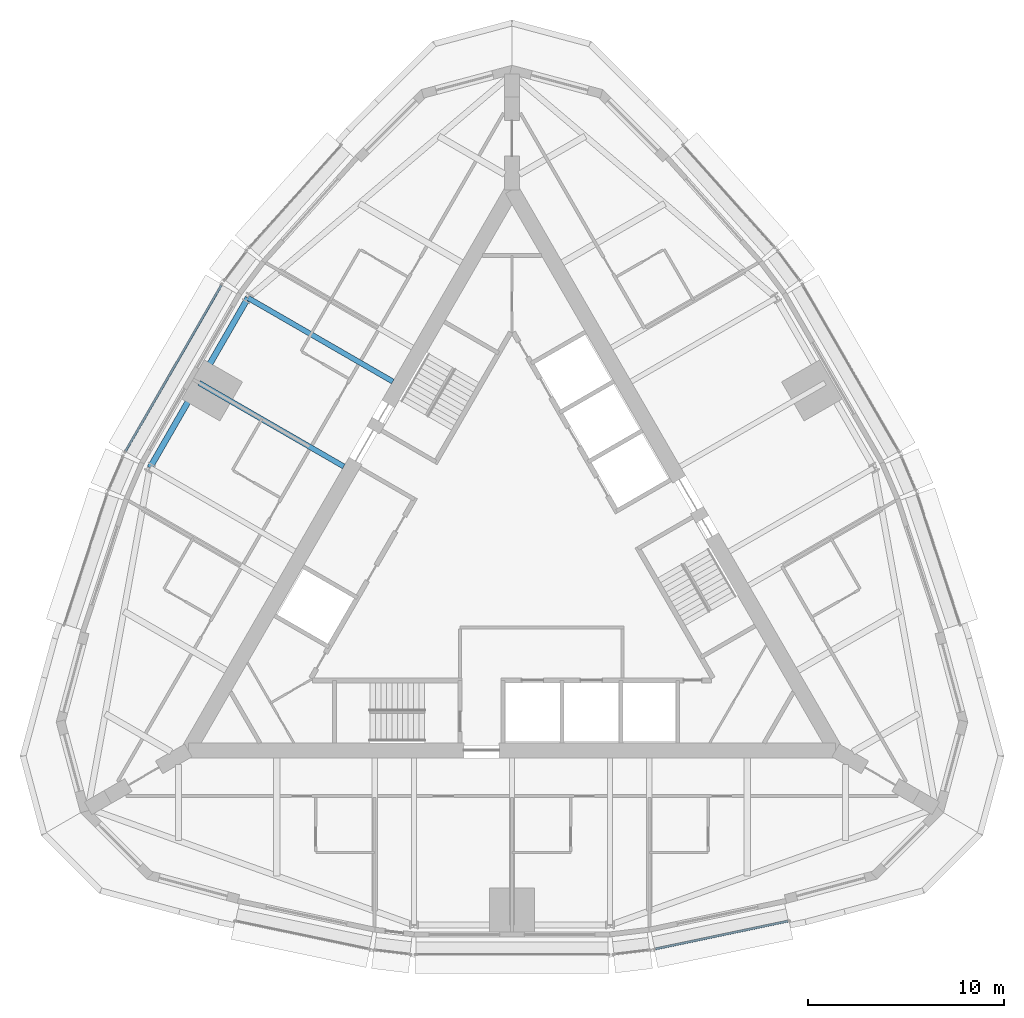
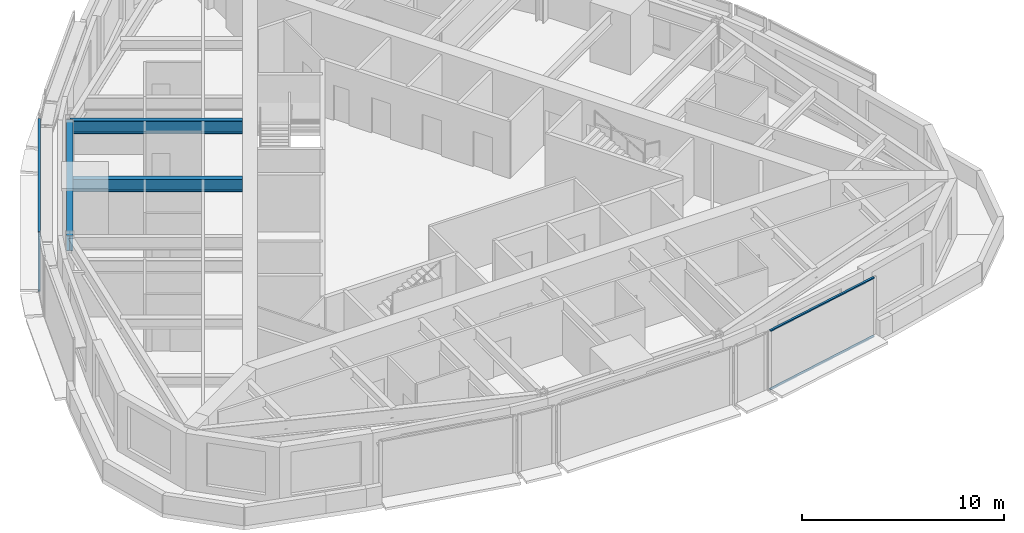
# One storey, part 3 of 13: 4 members, 3 beams, 2 elements without a shape of their own.
"""IFC4 building model written with IfcOpenShell, lengths in metres."""

from ifc_helpers import new_model, si_unit, direction, frame, origin, origin_2d, place, context, subcontext, project, spatial, rectangle, i_section, extrude, material, material_profile, profile_set, type_object, element, aggregate, save


model = new_model("IFC4")

# Units and contexts
model_context = context("Model", 3, precision=1e-05, world=origin(), true_north=direction((0.0, 1.0)))
body_context = subcontext(model_context, "Body", "Model", "MODEL_VIEW")
ifc_project = project(units=[si_unit("LENGTHUNIT", "METRE"), si_unit("AREAUNIT", "SQUARE_METRE"), si_unit("VOLUMEUNIT", "CUBIC_METRE"), si_unit("PLANEANGLEUNIT", "RADIAN"), si_unit("MASSUNIT", "GRAM", prefix="KILO")], contexts=[model_context])

# Site, building, storey
site_placement = place(None, origin())
site = spatial("IfcSite", under=ifc_project, at=site_placement, CompositionType="ELEMENT")
building_placement = place(site_placement, origin())
building = spatial("IfcBuilding", under=site, at=building_placement, Name="Trikona Tower", CompositionType="ELEMENT")
storey_placement = place(building_placement, frame((0.0, 0.0, 239.300048828125)))
storey = spatial("IfcBuildingStorey", under=building, at=storey_placement, Name="L63", CompositionType="ELEMENT", Elevation=239.300048828125)

# Beams
ifc_material_1 = material(Name="Steel ASTM A992 Grade 50", Category="steel")
ifc_material_profile_1 = material_profile(ifc_material_1, i_section(OverallWidth=0.2666015625, OverallDepth=0.7568359375, WebThickness=0.013916015625, FlangeThickness=0.019287109375, at=origin_2d()), Name="W30X108")
ifc_profile_set_1 = profile_set([ifc_material_profile_1], Name="Steel ASTM A992 Grade 50")
beam_type_1 = type_object("IfcBeamType", Name="Steel beam W30x108 (radial upper)", PredefinedType="BEAM", material=ifc_profile_set_1)
for number, where, z_axis, x_axis, name in (
    (1, (-6.07470703125, 9.28076171875, 3.056396484375), (-0.866022086901, 0.500005744967, 0.0), (-0.500005744967, -0.866022086901, 0.0), "Floor beam L64 F3 u-5"),
    (2, (-8.57470703125, 4.95068359375, 3.056396484375), (-0.866022086901, 0.500005744967, 0.0), (-0.500005744967, -0.866022086901, 0.0), "Floor beam L64 F3 u0"),
):
    element("IfcBeam", number, at=place(storey_placement, frame(where, z_axis=z_axis, x_axis=x_axis)), inside=storey, type_object=beam_type_1, Name=name, PredefinedType="BEAM", context=body_context, shape_type="SweptSolid", body=[
        extrude(i_section(OverallWidth=0.2666015625, OverallDepth=0.7568359375, WebThickness=0.013916015625, FlangeThickness=0.019287109375, at=origin_2d()), origin(), (0.0, 0.0, 1.0), 8.529296875),
    ])
ifc_material_2 = material(Name="Steel ASTM A992 Grade 50", Category="steel")
ifc_material_profile_2 = material_profile(ifc_material_2, i_section(OverallWidth=0.3046875, OverallDepth=0.911865234375, WebThickness=0.015869140625, FlangeThickness=0.02392578125, at=origin_2d()), Name="W36X150")
ifc_profile_set_2 = profile_set([ifc_material_profile_2], Name="Steel ASTM A992 Grade 50")
beam_type_2 = type_object("IfcBeamType", Name="Steel beam W36x150 (spandrel upper)", PredefinedType="SPANDREL", material=ifc_profile_set_2)
beam_placement = place(storey_placement, frame((-13.461181640625, 13.54541015625, 2.97900390625), z_axis=(-0.499993662806, -0.866029062534, 0.0), x_axis=(0.866029062534, -0.499993662806, 0.0)))
element("IfcBeam", 3, at=beam_placement, inside=storey, type_object=beam_type_2, Name="Spandrel beam L64 F3-2", PredefinedType="SPANDREL", context=body_context, shape_type="SweptSolid", body=[
    extrude(i_section(OverallWidth=0.3046875, OverallDepth=0.911865234375, WebThickness=0.015869140625, FlangeThickness=0.02392578125, at=origin_2d()), origin(), (0.0, 0.0, 1.0), 10.000244140625),
])

# Curtain wall, members
ifc_material_3 = material(Name="Aluminium curtain wall system", Category="aluminium")
curtain_wall_type = type_object("IfcCurtainWallType", Name="Curtain wall DS3", PredefinedType="NOTDEFINED", material=ifc_material_3)
curtain_wall_1_placement = place(storey_placement, origin())
curtain_wall_1 = element("IfcCurtainWall", 4, at=curtain_wall_1_placement, inside=storey, type_object=curtain_wall_type, Name="Curtain wall DS3 L63", PredefinedType="NOTDEFINED")
ifc_material_4 = material(Name="Aluminium transom, pale anodised", Category="aluminium")
ifc_material_profile_3 = material_profile(ifc_material_4, rectangle(XDim=0.1201171875, YDim=0.070068359375, at=origin_2d()), Name="TRN-DS3")
ifc_profile_set_3 = profile_set([ifc_material_profile_3], Name="Aluminium transom, pale anodised")
member_type = type_object("IfcMemberType", Name="Transom DS3 70x120", PredefinedType="USERDEFINED", material=ifc_profile_set_3)
member_1_placement = place(storey_placement, frame((7.312255859375, -19.64453125, 0.034912109375), z_axis=(0.978654137783, 0.205514181021, 0.0), x_axis=(-0.205514181021, 0.978654137783, 0.0)))
member_1 = element("IfcMember", 5, at=member_1_placement, type_object=member_type, Name="CW-DS3 transom 1.1", ObjectType="TRANSOM", PredefinedType="USERDEFINED", context=body_context, shape_type="SweptSolid", body=[
    extrude(rectangle(XDim=0.1201171875, YDim=0.070068359375, at=origin_2d()), origin(), (0.0, 0.0, 1.0), 6.892578125),
])
member_2_placement = place(storey_placement, frame((7.312255859375, -19.64453125, 3.56494140625), z_axis=(0.978654137783, 0.205514181021, 0.0), x_axis=(-0.205514181021, 0.978654137783, 0.0)))
member_2 = element("IfcMember", 6, at=member_2_placement, type_object=member_type, Name="CW-DS3 transom 1.2", ObjectType="TRANSOM", PredefinedType="USERDEFINED", context=body_context, shape_type="SweptSolid", body=[
    extrude(rectangle(XDim=0.1201171875, YDim=0.070068359375, at=origin_2d()), origin(), (0.0, 0.0, 1.0), 6.892578125),
])
aggregate(curtain_wall_1, [member_1, member_2])

curtain_wall_2_placement = place(storey_placement, origin())
curtain_wall_2 = element("IfcCurtainWall", 7, at=curtain_wall_2_placement, inside=storey, type_object=curtain_wall_type, Name="Curtain wall DS3 L63", PredefinedType="NOTDEFINED")
member_3_placement = place(storey_placement, frame((-14.8251953125, 14.182861328125, 0.034912109375), z_axis=(-0.500010305712, -0.866019453697, 0.0), x_axis=(0.866019453697, -0.500010305712, 0.0)))
member_3 = element("IfcMember", 8, at=member_3_placement, type_object=member_type, Name="CW-DS3 transom 1.1", ObjectType="TRANSOM", PredefinedType="USERDEFINED", context=body_context, shape_type="SweptSolid", body=[
    extrude(rectangle(XDim=0.1201171875, YDim=0.070068359375, at=origin_2d()), origin(), (0.0, 0.0, 1.0), 9.739990234375),
])
member_4_placement = place(storey_placement, frame((-14.8251953125, 14.182861328125, 3.56494140625), z_axis=(-0.500010305712, -0.866019453697, 0.0), x_axis=(0.866019453697, -0.500010305712, 0.0)))
member_4 = element("IfcMember", 9, at=member_4_placement, type_object=member_type, Name="CW-DS3 transom 1.2", ObjectType="TRANSOM", PredefinedType="USERDEFINED", context=body_context, shape_type="SweptSolid", body=[
    extrude(rectangle(XDim=0.1201171875, YDim=0.070068359375, at=origin_2d()), origin(), (0.0, 0.0, 1.0), 9.739990234375),
])
aggregate(curtain_wall_2, [member_3, member_4])

save(model, "model.ifc")
